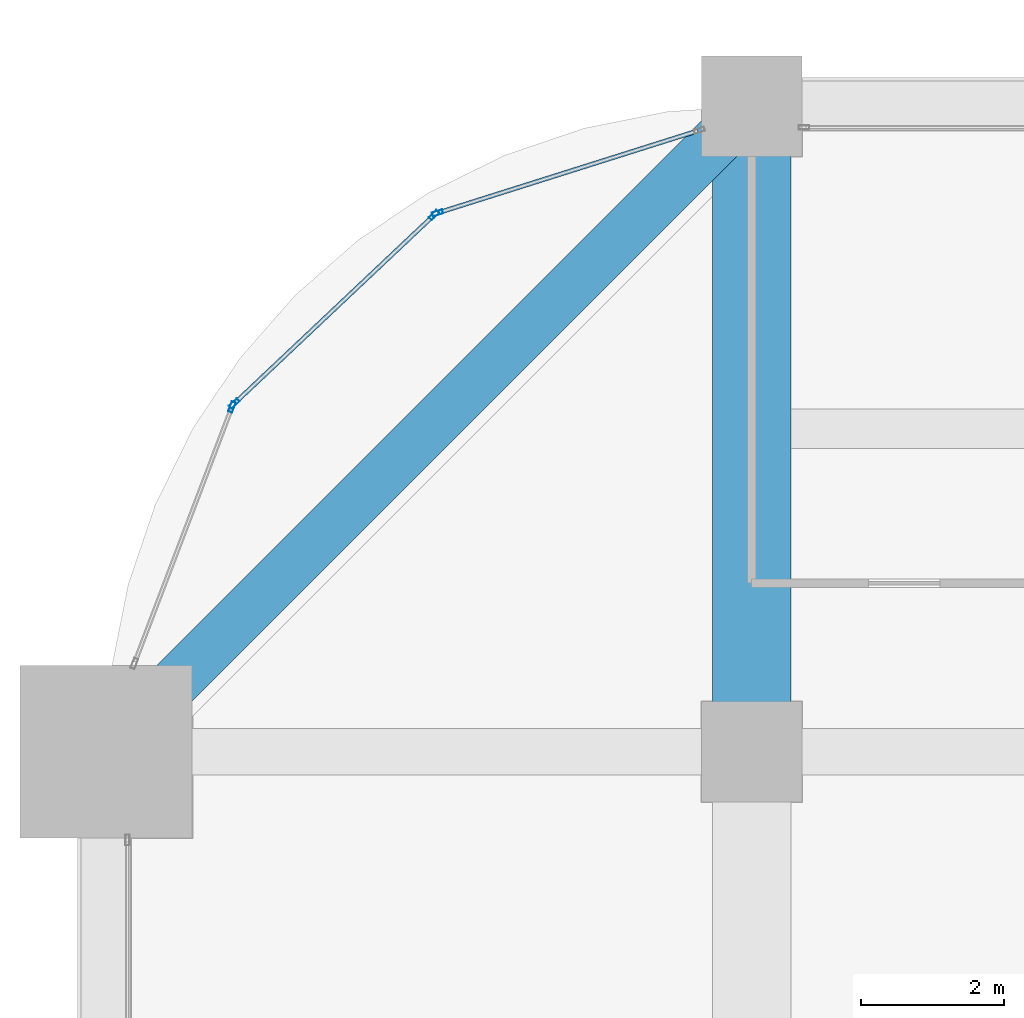
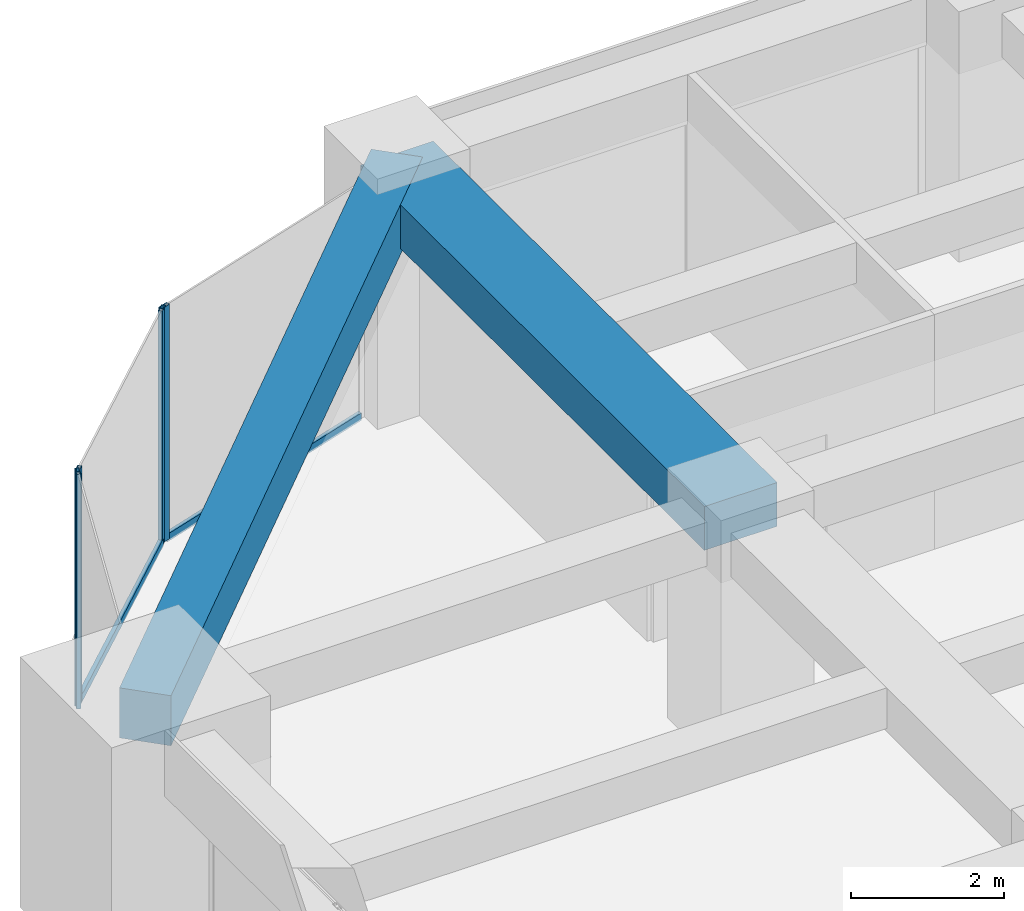
# One storey, part 22 of 33: 6 members, 2 beams, 3 elements without a shape of their own.
"""IFC4 building model written with IfcOpenShell, lengths in metres."""

from ifc_helpers import new_model, si_unit, direction, frame, origin, origin_2d, place, context, subcontext, project, spatial, rectangle, hollow_rectangle, extrude, material, material_profile, profile_set, type_object, element, aggregate, save


model = new_model("IFC4")

# Units and contexts
model_context = context("Model", 3, precision=1e-05, world=origin(), true_north=direction((0.0, 1.0)))
body_context = subcontext(model_context, "Body", "Model", "MODEL_VIEW")
ifc_project = project(units=[si_unit("LENGTHUNIT", "METRE"), si_unit("AREAUNIT", "SQUARE_METRE"), si_unit("VOLUMEUNIT", "CUBIC_METRE"), si_unit("PLANEANGLEUNIT", "RADIAN"), si_unit("MASSUNIT", "GRAM", prefix="KILO")], contexts=[model_context])

# Site, building, storey
site_placement = place(None, origin())
site = spatial("IfcSite", under=ifc_project, at=site_placement, CompositionType="ELEMENT")
building_placement = place(site_placement, origin())
building = spatial("IfcBuilding", under=site, at=building_placement, Name="Zorevar Civic Tower", CompositionType="ELEMENT")
storey_placement = place(building_placement, frame((0.0, 0.0, 210.199951171875)))
storey = spatial("IfcBuildingStorey", under=building, at=storey_placement, Name="L51", CompositionType="ELEMENT", Elevation=210.199951171875)

# Beam
ifc_material_1 = material(Name="Concrete C50/60", Category="concrete")
ifc_material_profile_1 = material_profile(ifc_material_1, rectangle(XDim=1.10009765625, YDim=0.699951171875, at=origin_2d()), Name="RC 1100x700")
ifc_profile_set_1 = profile_set([ifc_material_profile_1], Name="Concrete C50/60")
beam_type_1 = type_object("IfcBeamType", Name="Beam RC 1100x700", PredefinedType="BEAM", material=ifc_profile_set_1)
beam_1_placement = place(storey_placement, frame((9.0, 36.0, 3.400146484375), z_axis=(0.0, 1.0, 0.0), x_axis=(-1.0, 0.0, 0.0)))
element("IfcBeam", 1, at=beam_1_placement, inside=storey, type_object=beam_type_1, Name="Girder L52", PredefinedType="BEAM", context=body_context, shape_type="SweptSolid", body=[
    extrude(rectangle(XDim=1.10009765625, YDim=0.699951171875, at=origin_2d()), origin(), (0.0, 0.0, 1.0), 9.0),
])

# Curtain wall, member
ifc_material_2 = material(Name="Dark grey solar-control glass in black aluminium frame", Category="aluminium")
curtain_wall_type = type_object("IfcCurtainWallType", Name="Curtain wall CW4 high zone", PredefinedType="NOTDEFINED", material=ifc_material_2)
curtain_wall_1_placement = place(storey_placement, origin())
curtain_wall_1 = element("IfcCurtainWall", 2, at=curtain_wall_1_placement, inside=storey, type_object=curtain_wall_type, Name="CW4 L51", PredefinedType="NOTDEFINED")
ifc_material_3 = material(Name="Aluminium, black anodised", Category="aluminium")
ifc_material_profile_2 = material_profile(ifc_material_3, hollow_rectangle(XDim=0.06005859375, YDim=0.14990234375, WallThickness=0.00390625, at=origin_2d()), Name="AL 150x60x4")
ifc_profile_set_2 = profile_set([ifc_material_profile_2], Name="Aluminium, black anodised")
member_type_1 = type_object("IfcMemberType", Name="CW4 mullion AL 150x60x4", PredefinedType="MULLION", material=ifc_profile_set_2)
member_1_placement = place(storey_placement, frame((4.62158203125, 43.51025390625, 0.0), z_axis=(0.0, 0.0, 1.0), x_axis=(0.301108296077, -0.953589950678, 0.0)))
member_1 = element("IfcMember", 3, at=member_1_placement, type_object=member_type_1, Name="CW4 mullion 2", PredefinedType="MULLION", context=body_context, shape_type="SweptSolid", body=[
    extrude(hollow_rectangle(XDim=0.06005859375, YDim=0.14990234375, WallThickness=0.00390625, at=origin_2d()), origin(), (0.0, 0.0, 1.0), 3.75),
])

# Curtain wall, members
curtain_wall_2_placement = place(storey_placement, origin())
curtain_wall_2 = element("IfcCurtainWall", 4, at=curtain_wall_2_placement, inside=storey, type_object=curtain_wall_type, Name="CW4 L51", PredefinedType="NOTDEFINED")
member_2_placement = place(storey_placement, frame((4.5712890625, 43.480712890625, 0.0), z_axis=(0.0, 0.0, 1.0), x_axis=(0.686377907265, -0.727245053898, 0.0)))
member_2 = element("IfcMember", 5, at=member_2_placement, type_object=member_type_1, Name="CW4 mullion 1", PredefinedType="MULLION", context=body_context, shape_type="SweptSolid", body=[
    extrude(hollow_rectangle(XDim=0.06005859375, YDim=0.14990234375, WallThickness=0.00390625, at=origin_2d()), origin(), (0.0, 0.0, 1.0), 3.75),
])
member_3_placement = place(storey_placement, frame((1.787841796875, 40.853759765625, 0.0), z_axis=(0.0, 0.0, 1.0), x_axis=(0.686377907265, -0.727245053898, 0.0)))
member_3 = element("IfcMember", 6, at=member_3_placement, type_object=member_type_1, Name="CW4 mullion 2", PredefinedType="MULLION", context=body_context, shape_type="SweptSolid", body=[
    extrude(hollow_rectangle(XDim=0.06005859375, YDim=0.14990234375, WallThickness=0.00390625, at=origin_2d()), origin(), (0.0, 0.0, 1.0), 3.75),
])

# Curtain wall, member
curtain_wall_3_placement = place(storey_placement, origin())
curtain_wall_3 = element("IfcCurtainWall", 7, at=curtain_wall_3_placement, inside=storey, type_object=curtain_wall_type, Name="CW4 L51", PredefinedType="NOTDEFINED")
member_4_placement = place(storey_placement, frame((1.75537109375, 40.804931640625, 0.0), z_axis=(0.0, 0.0, 1.0), x_axis=(0.93458842801, -0.355730895803, 0.0)))
member_4 = element("IfcMember", 8, at=member_4_placement, type_object=member_type_1, Name="CW4 mullion 1", PredefinedType="MULLION", context=body_context, shape_type="SweptSolid", body=[
    extrude(hollow_rectangle(XDim=0.06005859375, YDim=0.14990234375, WallThickness=0.00390625, at=origin_2d()), origin(), (0.0, 0.0, 1.0), 3.75),
])
aggregate(curtain_wall_3, [member_4])

# Member
ifc_material_4 = material(Name="Aluminium, black anodised", Category="aluminium")
ifc_material_profile_3 = material_profile(ifc_material_4, hollow_rectangle(XDim=0.06005859375, YDim=0.1201171875, WallThickness=0.0029296875, at=origin_2d()), Name="AL 120x60x3")
ifc_profile_set_3 = profile_set([ifc_material_profile_3], Name="Aluminium, black anodised")
member_type_2 = type_object("IfcMemberType", Name="CW4 transom AL 120x60x3", PredefinedType="USERDEFINED", material=ifc_profile_set_3)
member_5_placement = place(storey_placement, frame((8.24267578125, 44.653564453125, 0.030029296875), z_axis=(-0.953592459367, -0.301100351109, 0.0), x_axis=(0.301100351109, -0.953592459367, 0.0)))
member_5 = element("IfcMember", 9, at=member_5_placement, type_object=member_type_2, Name="CW4 sill transom", ObjectType="TRANSOM", PredefinedType="USERDEFINED", context=body_context, shape_type="SweptSolid", body=[
    extrude(hollow_rectangle(XDim=0.06005859375, YDim=0.1201171875, WallThickness=0.0029296875, at=origin_2d()), origin(), (0.0, 0.0, 1.0), 3.76708984375),
])

aggregate(curtain_wall_1, [member_1, member_5])

member_6_placement = place(storey_placement, frame((4.549560546875, 43.4599609375, 0.030029296875), z_axis=(-0.727288059227, -0.686332338526, 0.0), x_axis=(0.686332338526, -0.727288059227, 0.0)))
member_6 = element("IfcMember", 10, at=member_6_placement, type_object=member_type_2, Name="CW4 sill transom", ObjectType="TRANSOM", PredefinedType="USERDEFINED", context=body_context, shape_type="SweptSolid", body=[
    extrude(hollow_rectangle(XDim=0.06005859375, YDim=0.1201171875, WallThickness=0.0029296875, at=origin_2d()), origin(), (0.0, 0.0, 1.0), 3.767333984375),
])

aggregate(curtain_wall_2, [member_2, member_3, member_6])

# Beam
ifc_material_5 = material(Name="Concrete C50/60", Category="concrete")
ifc_material_profile_4 = material_profile(ifc_material_5, rectangle(XDim=0.699951171875, YDim=0.800048828125, at=origin_2d()), Name="RC 700x800")
ifc_profile_set_4 = profile_set([ifc_material_profile_4], Name="Concrete C50/60")
beam_type_2 = type_object("IfcBeamType", Name="Edge beam RC 700x800", PredefinedType="SPANDREL", material=ifc_profile_set_4)
beam_2_placement = place(storey_placement, frame((9.0, 45.0, 3.35009765625), z_axis=(-0.707106781187, -0.707106781187, 0.0), x_axis=(0.707106781187, -0.707106781187, 0.0)))
element("IfcBeam", 11, at=beam_2_placement, inside=storey, type_object=beam_type_2, Name="Corner edge beam L52", PredefinedType="SPANDREL", context=body_context, shape_type="SweptSolid", body=[
    extrude(rectangle(XDim=0.699951171875, YDim=0.800048828125, at=origin_2d()), origin(), (0.0, 0.0, 1.0), 12.72802734375),
])

save(model, "model.ifc")
